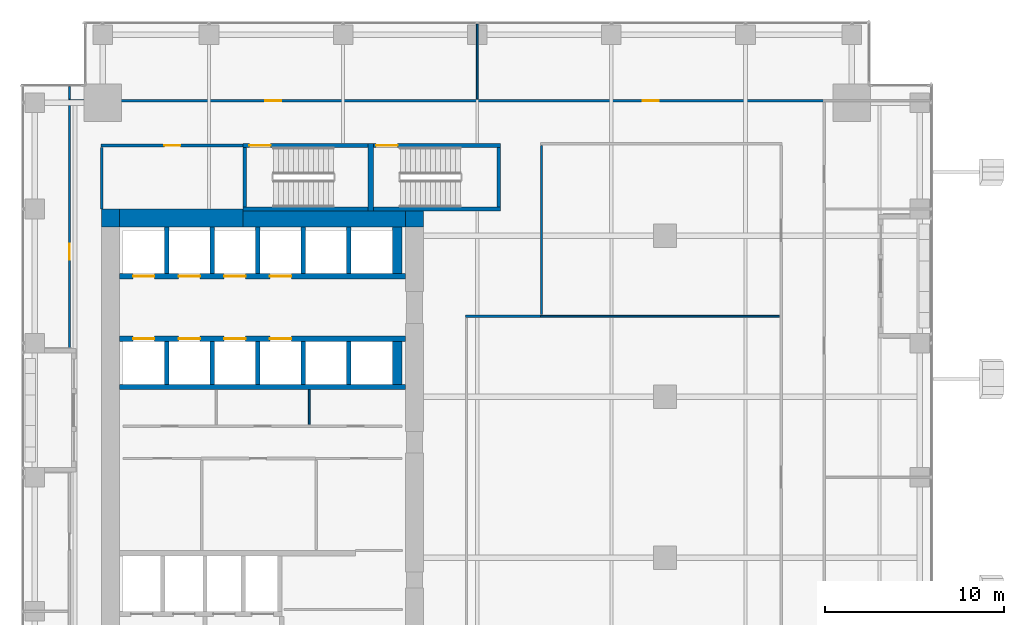
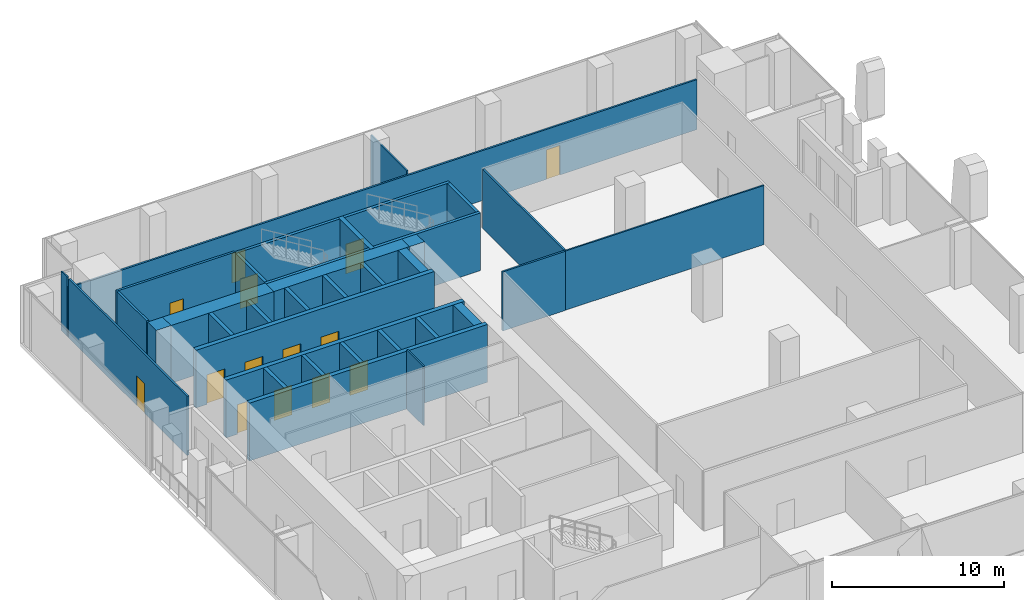
# One storey, part 30 of 35: 36 walls, 14 doors, 14 openings.
"""IFC4 building model written with IfcOpenShell, lengths in metres."""

from ifc_helpers import new_model, si_unit, direction, frame, frame_2d, origin, place, context, subcontext, project, spatial, rectangle, extrude, source, transform, mapped, material, layer, layer_set, type_object, element, fill, save


model = new_model("IFC4")

# Units and contexts
model_context = context("Model", 3, precision=1e-05, world=origin(), true_north=direction((0.0, 1.0)))
body_context = subcontext(model_context, "Body", "Model", "MODEL_VIEW")
ifc_project = project(units=[si_unit("LENGTHUNIT", "METRE"), si_unit("AREAUNIT", "SQUARE_METRE"), si_unit("VOLUMEUNIT", "CUBIC_METRE"), si_unit("PLANEANGLEUNIT", "RADIAN"), si_unit("MASSUNIT", "GRAM", prefix="KILO")], contexts=[model_context])

# Site, building, storey
site_placement = place(None, origin())
site = spatial("IfcSite", under=ifc_project, at=site_placement, CompositionType="ELEMENT")
building_placement = place(site_placement, origin())
building = spatial("IfcBuilding", under=site, at=building_placement, Name="Khomas Fold Tower", CompositionType="ELEMENT")
storey_placement = place(building_placement, frame((0.0, 0.0, 136.699951171875)))
storey = spatial("IfcBuildingStorey", under=building, at=storey_placement, Name="L29", CompositionType="ELEMENT", Elevation=136.699951171875)

# Walls
ifc_material_1 = material(Name="Concrete C70/85", Category="concrete")
ifc_layer_1 = layer(ifc_material_1, 1.0)
ifc_layer_set_1 = layer_set([ifc_layer_1], Name="Concrete C70/85")
wall_type_1 = type_object("IfcWallType", Name="Core wall 1000", PredefinedType="SHEAR", material=ifc_layer_set_1)
shared_shape_1 = source(origin(), body_context, "Body", "SweptSolid", [
    extrude(rectangle(XDim=6.89990234375, YDim=1.0, at=frame_2d((3.449951171875, 0.0))), origin(), (0.0, 0.0, 1.0), 4.10009765625),
])
wall_1_placement = place(storey_placement, frame((7.0, 41.5, 0.0), z_axis=(0.0, 0.0, 1.0), x_axis=(1.0, 0.0, 0.0)))
element("IfcWall", 1, at=wall_1_placement, inside=storey, type_object=wall_type_1, Name="Core wall CW-L-N-L21", PredefinedType="SHEAR", context=body_context, shape_type="MappedRepresentation", body=[
    mapped(shared_shape_1, transform((0.0, 0.0, 0.0))),
])
ifc_material_2 = material(Name="Concrete C70/85", Category="concrete")
ifc_layer_2 = layer(ifc_material_2, 0.89990234375)
ifc_layer_set_2 = layer_set([ifc_layer_2], Name="Concrete C70/85")
wall_type_2 = type_object("IfcWallType", Name="Core wall 900", PredefinedType="SHEAR", material=ifc_layer_set_2)
shared_shape_2 = source(origin(), body_context, "Body", "SweptSolid", [
    extrude(rectangle(XDim=9.10009765625, YDim=0.89990234375, at=frame_2d((4.550048828125, 0.0))), origin(), (0.0, 0.0, 1.0), 4.10009765625),
])
wall_2_placement = place(storey_placement, frame((13.89990234375, 41.449951171875, 0.0), z_axis=(0.0, 0.0, 1.0), x_axis=(1.0, 0.0, 0.0)))
element("IfcWall", 2, at=wall_2_placement, inside=storey, type_object=wall_type_2, Name="Core wall CW-L-N-L21-1", PredefinedType="SHEAR", context=body_context, shape_type="MappedRepresentation", body=[
    mapped(shared_shape_2, transform((0.0, 0.0, 0.0))),
])
ifc_material_3 = material(Name="Concrete C70/85", Category="concrete")
ifc_layer_3 = layer(ifc_material_3, 0.89990234375)
ifc_layer_set_3 = layer_set([ifc_layer_3], Name="Concrete C70/85")
wall_type_3 = type_object("IfcWallType", Name="Core corner wall 900", PredefinedType="SHEAR", material=ifc_layer_set_3)
shared_shape_3 = source(origin(), body_context, "Body", "SweptSolid", [
    extrude(rectangle(XDim=1.0, YDim=0.89990234375, at=frame_2d((0.5, 0.0))), origin(), (0.0, 0.0, 1.0), 4.10009765625),
])
wall_3_placement = place(storey_placement, frame((23.0, 41.449951171875, 0.0), z_axis=(0.0, 0.0, 1.0), x_axis=(1.0, 0.0, 0.0)))
element("IfcWall", 3, at=wall_3_placement, inside=storey, type_object=wall_type_3, Name="Core wall CW-L-NE-L21", PredefinedType="SHEAR", context=body_context, shape_type="MappedRepresentation", body=[
    mapped(shared_shape_3, transform((0.0, 0.0, 0.0))),
])
ifc_material_4 = material(Name="Concrete C70/85", Category="concrete")
ifc_layer_4 = layer(ifc_material_4, 1.0)
ifc_layer_set_4 = layer_set([ifc_layer_4], Name="Concrete C70/85")
wall_type_4 = type_object("IfcWallType", Name="Core corner wall 1000", PredefinedType="SHEAR", material=ifc_layer_set_4)
shared_shape_4 = source(origin(), body_context, "Body", "SweptSolid", [
    extrude(rectangle(XDim=1.0, YDim=1.0, at=frame_2d((0.5, 0.0))), origin(), (0.0, 0.0, 1.0), 4.10009765625),
])
wall_4_placement = place(storey_placement, frame((6.0, 41.5, 0.0), z_axis=(0.0, 0.0, 1.0), x_axis=(1.0, 0.0, 0.0)))
element("IfcWall", 4, at=wall_4_placement, inside=storey, type_object=wall_type_4, Name="Core wall CW-L-NW-L21", PredefinedType="SHEAR", context=body_context, shape_type="MappedRepresentation", body=[
    mapped(shared_shape_4, transform((0.0, 0.0, 0.0))),
])

# Wall, opening, door
ifc_material_5 = material(Name="Concrete C50/60", Category="concrete")
ifc_layer_5 = layer(ifc_material_5, 0.199951171875)
ifc_layer_set_5 = layer_set([ifc_layer_5], Name="Concrete C50/60")
wall_type_5 = type_object("IfcWallType", Name="Stair wall 200", PredefinedType="SHEAR", material=ifc_layer_set_5)
shared_shape_5 = source(origin(), body_context, "Body", "SweptSolid", [
    extrude(rectangle(XDim=7.0, YDim=0.199951171875, at=frame_2d((3.5, 0.0))), origin(), (0.0, 0.0, 1.0), 4.10009765625),
])
wall_5_placement = place(storey_placement, frame((13.89990234375, 45.550048828125, 0.0), z_axis=(0.0, 0.0, 1.0), x_axis=(1.0, 0.0, 0.0)))
wall_5 = element("IfcWall", 5, at=wall_5_placement, inside=storey, type_object=wall_type_5, Name="Stair wall SW-ST1-N", PredefinedType="SHEAR", context=body_context, shape_type="MappedRepresentation", body=[
    mapped(shared_shape_5, transform((0.0, 0.0, 0.0))),
])
shared_shape_6 = source(origin(), body_context, "Body", "SweptSolid", [
    extrude(rectangle(XDim=1.199951171875, YDim=2.10009765625, at=frame_2d((0.60009765625, 1.050048828125))), frame((0.0, 0.10986328125, 0.0), z_axis=(0.0, -1.0, 0.0), x_axis=(1.0, 0.0, 0.0)), (0.0, 0.0, 1.0), 0.219970703125),
])
opening_1_placement = place(wall_5_placement, frame((0.35009765625, 0.0, 0.0)))
opening_1 = element("IfcOpeningElement", 6, at=opening_1_placement, cuts=wall_5, Name="Opening SD-ST1", PredefinedType="OPENING", context=body_context, shape_type="MappedRepresentation", body=[
    mapped(shared_shape_6, transform((0.0, 0.0, 0.0))),
])
ifc_material_6 = material(Name="Steel door leaf", Category="steel")
door_type_1 = type_object("IfcDoorType", Name="Stair door 1200x2100 left-hand", OperationType="SINGLE_SWING_LEFT", PredefinedType="DOOR", material=ifc_material_6)
shared_shape_7 = source(origin(), body_context, "Body", "SweptSolid", [
    extrude(rectangle(XDim=1.199951171875, YDim=2.10009765625, at=frame_2d((0.60009765625, 1.050048828125))), frame((0.0, 0.02490234375, 0.0), z_axis=(0.0, -1.0, 0.0), x_axis=(1.0, 0.0, 0.0)), (0.0, 0.0, 1.0), 0.050048828125),
])
door_1_placement = place(opening_1_placement, origin())
door_1 = element("IfcDoor", 7, at=door_1_placement, inside=storey, type_object=door_type_1, Name="Stair door", OperationType="SINGLE_SWING_LEFT", OverallHeight=2.10009765625, OverallWidth=1.199951171875, PredefinedType="DOOR", context=body_context, shape_type="MappedRepresentation", body=[
    mapped(shared_shape_7, transform((0.0, 0.0, 0.0))),
])
fill(opening_1, door_1)

# Wall
wall_6_placement = place(storey_placement, frame((13.89990234375, 42.0, 0.0), z_axis=(0.0, 0.0, 1.0), x_axis=(1.0, 0.0, 0.0)))
element("IfcWall", 8, at=wall_6_placement, inside=storey, type_object=wall_type_5, Name="Stair wall SW-ST1-S", PredefinedType="SHEAR", context=body_context, shape_type="MappedRepresentation", body=[
    mapped(shared_shape_5, transform((0.0, 0.0, 0.0))),
])

# Wall, opening, door
shared_shape_8 = source(origin(), body_context, "Body", "SweptSolid", [
    extrude(rectangle(XDim=7.10009765625, YDim=0.199951171875, at=frame_2d((3.550048828125, 0.0))), origin(), (0.0, 0.0, 1.0), 4.10009765625),
])
wall_7_placement = place(storey_placement, frame((21.199951171875, 45.550048828125, 0.0), z_axis=(0.0, 0.0, 1.0), x_axis=(1.0, 0.0, 0.0)))
wall_7 = element("IfcWall", 9, at=wall_7_placement, inside=storey, type_object=wall_type_5, Name="Stair wall SW-ST3-N", PredefinedType="SHEAR", context=body_context, shape_type="MappedRepresentation", body=[
    mapped(shared_shape_8, transform((0.0, 0.0, 0.0))),
])
opening_2_placement = place(wall_7_placement, frame((0.14990234375, 0.0, 0.0)))
opening_2 = element("IfcOpeningElement", 10, at=opening_2_placement, cuts=wall_7, Name="Opening SD-ST3", PredefinedType="OPENING", context=body_context, shape_type="MappedRepresentation", body=[
    mapped(shared_shape_6, transform((0.0, 0.0, 0.0))),
])
door_2_placement = place(opening_2_placement, origin())
door_2 = element("IfcDoor", 11, at=door_2_placement, inside=storey, type_object=door_type_1, Name="Stair door", OperationType="SINGLE_SWING_LEFT", OverallHeight=2.10009765625, OverallWidth=1.199951171875, PredefinedType="DOOR", context=body_context, shape_type="MappedRepresentation", body=[
    mapped(shared_shape_7, transform((0.0, 0.0, 0.0))),
])
fill(opening_2, door_2)

# Walls
wall_8_placement = place(storey_placement, frame((21.199951171875, 42.0, 0.0), z_axis=(0.0, 0.0, 1.0), x_axis=(1.0, 0.0, 0.0)))
element("IfcWall", 12, at=wall_8_placement, inside=storey, type_object=wall_type_5, Name="Stair wall SW-ST3-S", PredefinedType="SHEAR", context=body_context, shape_type="MappedRepresentation", body=[
    mapped(shared_shape_8, transform((0.0, 0.0, 0.0))),
])
ifc_material_7 = material(Name="Concrete C50/60", Category="concrete")
ifc_layer_6 = layer(ifc_material_7, 0.300048828125)
ifc_layer_set_6 = layer_set([ifc_layer_6], Name="Concrete C50/60")
wall_type_6 = type_object("IfcWallType", Name="Stair wall 300", PredefinedType="SHEAR", material=ifc_layer_set_6)
shared_shape_9 = source(origin(), body_context, "Body", "SweptSolid", [
    extrude(rectangle(XDim=3.75, YDim=0.300048828125, at=frame_2d((1.875, 0.0))), origin(), (0.0, 0.0, 1.0), 4.10009765625),
])
wall_9_placement = place(storey_placement, frame((21.050048828125, 41.89990234375, 0.0), z_axis=(0.0, 0.0, 1.0), x_axis=(0.0, 1.0, 0.0)))
element("IfcWall", 13, at=wall_9_placement, inside=storey, type_object=wall_type_6, Name="Stair wall SW-ST1-E", PredefinedType="SHEAR", context=body_context, shape_type="MappedRepresentation", body=[
    mapped(shared_shape_9, transform((0.0, 0.0, 0.0))),
])
shared_shape_10 = source(origin(), body_context, "Body", "SweptSolid", [
    extrude(rectangle(XDim=3.349853515625, YDim=0.199951171875, at=frame_2d((1.6748046875, 0.0))), origin(), (0.0, 0.0, 1.0), 4.10009765625),
])
for number, where, z_axis, x_axis, name in (
    (14, (14.0, 42.10009765625, 0.0), (0.0, 0.0, 1.0), (0.0, 1.0, 0.0), "Stair wall SW-ST1-W"),
    (15, (28.199951171875, 42.10009765625, 0.0), (0.0, 0.0, 1.0), (0.0, 1.0, 0.0), "Stair wall SW-ST3-E"),
):
    element("IfcWall", number, at=place(storey_placement, frame(where, z_axis=z_axis, x_axis=x_axis)), inside=storey, type_object=wall_type_5, Name=name, PredefinedType="SHEAR", context=body_context, shape_type="MappedRepresentation", body=[
        mapped(shared_shape_10, transform((0.0, 0.0, 0.0))),
    ])
ifc_material_8 = material(Name="Concrete C50/60", Category="concrete")
ifc_layer_7 = layer(ifc_material_8, 0.300048828125)
ifc_layer_set_7 = layer_set([ifc_layer_7], Name="Concrete C50/60")
wall_type_7 = type_object("IfcWallType", Name="Shaft wall 300", PredefinedType="STANDARD", material=ifc_layer_set_7)
shared_shape_11 = source(origin(), body_context, "Body", "SweptSolid", [
    extrude(rectangle(XDim=16.0, YDim=0.300048828125, at=frame_2d((8.0, 0.0))), origin(), (0.0, 0.0, 1.0), 4.10009765625),
])
wall_10_placement = place(storey_placement, frame((7.0, 32.050048828125, 0.0), z_axis=(0.0, 0.0, 1.0), x_axis=(1.0, 0.0, 0.0)))
element("IfcWall", 16, at=wall_10_placement, inside=storey, type_object=wall_type_7, Name="Core wall SW-HRN-B", PredefinedType="STANDARD", context=body_context, shape_type="MappedRepresentation", body=[
    mapped(shared_shape_11, transform((0.0, 0.0, 0.0))),
])

# Wall, openings, doors
wall_11_placement = place(storey_placement, frame((7.0, 38.25, 0.0), z_axis=(0.0, 0.0, 1.0), x_axis=(1.0, 0.0, 0.0)))
wall_11 = element("IfcWall", 17, at=wall_11_placement, inside=storey, type_object=wall_type_7, Name="Core wall SW-LRN-F", PredefinedType="STANDARD", context=body_context, shape_type="MappedRepresentation", body=[
    mapped(shared_shape_11, transform((0.0, 0.0, 0.0))),
])
shared_shape_12 = source(origin(), body_context, "Body", "SweptSolid", [
    extrude(rectangle(XDim=1.199951171875, YDim=2.10009765625, at=frame_2d((0.60009765625, 1.050048828125))), frame((0.0, 0.159912109375, 0.0), z_axis=(0.0, -1.0, 0.0), x_axis=(1.0, 0.0, 0.0)), (0.0, 0.0, 1.0), 0.320068359375),
])
opening_3_placement = place(wall_11_placement, frame((0.75, 0.0, 0.0)))
opening_3 = element("IfcOpeningElement", 18, at=opening_3_placement, cuts=wall_11, Name="Opening LD-LR5", PredefinedType="OPENING", context=body_context, shape_type="MappedRepresentation", body=[
    mapped(shared_shape_12, transform((0.0, 0.0, 0.0))),
])
opening_4_placement = place(wall_11_placement, frame((3.300048828125, 0.0, 0.0)))
opening_4 = element("IfcOpeningElement", 19, at=opening_4_placement, cuts=wall_11, Name="Opening LD-LR6", PredefinedType="OPENING", context=body_context, shape_type="MappedRepresentation", body=[
    mapped(shared_shape_12, transform((0.0, 0.0, 0.0))),
])
opening_5_placement = place(wall_11_placement, frame((5.85009765625, 0.0, 0.0)))
opening_5 = element("IfcOpeningElement", 20, at=opening_5_placement, cuts=wall_11, Name="Opening LD-LR7", PredefinedType="OPENING", context=body_context, shape_type="MappedRepresentation", body=[
    mapped(shared_shape_12, transform((0.0, 0.0, 0.0))),
])
opening_6_placement = place(wall_11_placement, frame((8.39990234375, 0.0, 0.0)))
opening_6 = element("IfcOpeningElement", 21, at=opening_6_placement, cuts=wall_11, Name="Opening LD-LR8", PredefinedType="OPENING", context=body_context, shape_type="MappedRepresentation", body=[
    mapped(shared_shape_12, transform((0.0, 0.0, 0.0))),
])
ifc_material_9 = material(Name="Steel door leaf", Category="steel")
door_type_2 = type_object("IfcDoorType", Name="Landing door 1200x2100", OperationType="DOUBLE_DOOR_SLIDING", PredefinedType="DOOR", material=ifc_material_9)
door_3_placement = place(opening_3_placement, origin())
door_3 = element("IfcDoor", 22, at=door_3_placement, inside=storey, type_object=door_type_2, Name="Lift landing door", OperationType="DOUBLE_DOOR_SLIDING", OverallHeight=2.10009765625, OverallWidth=1.199951171875, PredefinedType="DOOR", context=body_context, shape_type="MappedRepresentation", body=[
    mapped(shared_shape_7, transform((0.0, 0.0, 0.0))),
])
fill(opening_3, door_3)
door_4_placement = place(opening_4_placement, origin())
door_4 = element("IfcDoor", 23, at=door_4_placement, inside=storey, type_object=door_type_2, Name="Lift landing door", OperationType="DOUBLE_DOOR_SLIDING", OverallHeight=2.10009765625, OverallWidth=1.199951171875, PredefinedType="DOOR", context=body_context, shape_type="MappedRepresentation", body=[
    mapped(shared_shape_7, transform((0.0, 0.0, 0.0))),
])
fill(opening_4, door_4)
door_5_placement = place(opening_5_placement, origin())
door_5 = element("IfcDoor", 24, at=door_5_placement, inside=storey, type_object=door_type_2, Name="Lift landing door", OperationType="DOUBLE_DOOR_SLIDING", OverallHeight=2.10009765625, OverallWidth=1.199951171875, PredefinedType="DOOR", context=body_context, shape_type="MappedRepresentation", body=[
    mapped(shared_shape_7, transform((0.0, 0.0, 0.0))),
])
fill(opening_5, door_5)
door_6_placement = place(opening_6_placement, origin())
door_6 = element("IfcDoor", 25, at=door_6_placement, inside=storey, type_object=door_type_2, Name="Lift landing door", OperationType="DOUBLE_DOOR_SLIDING", OverallHeight=2.10009765625, OverallWidth=1.199951171875, PredefinedType="DOOR", context=body_context, shape_type="MappedRepresentation", body=[
    mapped(shared_shape_7, transform((0.0, 0.0, 0.0))),
])
fill(opening_6, door_6)

wall_12_placement = place(storey_placement, frame((7.0, 34.75, 0.0), z_axis=(0.0, 0.0, 1.0), x_axis=(1.0, 0.0, 0.0)))
wall_12 = element("IfcWall", 26, at=wall_12_placement, inside=storey, type_object=wall_type_7, Name="Core wall SW-LRS-F", PredefinedType="STANDARD", context=body_context, shape_type="MappedRepresentation", body=[
    mapped(shared_shape_11, transform((0.0, 0.0, 0.0))),
])
opening_7_placement = place(wall_12_placement, frame((0.75, 0.0, 0.0)))
opening_7 = element("IfcOpeningElement", 27, at=opening_7_placement, cuts=wall_12, Name="Opening LD-LR1", PredefinedType="OPENING", context=body_context, shape_type="MappedRepresentation", body=[
    mapped(shared_shape_12, transform((0.0, 0.0, 0.0))),
])
opening_8_placement = place(wall_12_placement, frame((3.300048828125, 0.0, 0.0)))
opening_8 = element("IfcOpeningElement", 28, at=opening_8_placement, cuts=wall_12, Name="Opening LD-LR2", PredefinedType="OPENING", context=body_context, shape_type="MappedRepresentation", body=[
    mapped(shared_shape_12, transform((0.0, 0.0, 0.0))),
])
opening_9_placement = place(wall_12_placement, frame((5.85009765625, 0.0, 0.0)))
opening_9 = element("IfcOpeningElement", 29, at=opening_9_placement, cuts=wall_12, Name="Opening LD-LR3", PredefinedType="OPENING", context=body_context, shape_type="MappedRepresentation", body=[
    mapped(shared_shape_12, transform((0.0, 0.0, 0.0))),
])
opening_10_placement = place(wall_12_placement, frame((8.39990234375, 0.0, 0.0)))
opening_10 = element("IfcOpeningElement", 30, at=opening_10_placement, cuts=wall_12, Name="Opening LD-LR4", PredefinedType="OPENING", context=body_context, shape_type="MappedRepresentation", body=[
    mapped(shared_shape_12, transform((0.0, 0.0, 0.0))),
])
door_7_placement = place(opening_7_placement, origin())
door_7 = element("IfcDoor", 31, at=door_7_placement, inside=storey, type_object=door_type_2, Name="Lift landing door", OperationType="DOUBLE_DOOR_SLIDING", OverallHeight=2.10009765625, OverallWidth=1.199951171875, PredefinedType="DOOR", context=body_context, shape_type="MappedRepresentation", body=[
    mapped(shared_shape_7, transform((0.0, 0.0, 0.0))),
])
fill(opening_7, door_7)
door_8_placement = place(opening_8_placement, origin())
door_8 = element("IfcDoor", 32, at=door_8_placement, inside=storey, type_object=door_type_2, Name="Lift landing door", OperationType="DOUBLE_DOOR_SLIDING", OverallHeight=2.10009765625, OverallWidth=1.199951171875, PredefinedType="DOOR", context=body_context, shape_type="MappedRepresentation", body=[
    mapped(shared_shape_7, transform((0.0, 0.0, 0.0))),
])
fill(opening_8, door_8)
door_9_placement = place(opening_9_placement, origin())
door_9 = element("IfcDoor", 33, at=door_9_placement, inside=storey, type_object=door_type_2, Name="Lift landing door", OperationType="DOUBLE_DOOR_SLIDING", OverallHeight=2.10009765625, OverallWidth=1.199951171875, PredefinedType="DOOR", context=body_context, shape_type="MappedRepresentation", body=[
    mapped(shared_shape_7, transform((0.0, 0.0, 0.0))),
])
fill(opening_9, door_9)
door_10_placement = place(opening_10_placement, origin())
door_10 = element("IfcDoor", 34, at=door_10_placement, inside=storey, type_object=door_type_2, Name="Lift landing door", OperationType="DOUBLE_DOOR_SLIDING", OverallHeight=2.10009765625, OverallWidth=1.199951171875, PredefinedType="DOOR", context=body_context, shape_type="MappedRepresentation", body=[
    mapped(shared_shape_7, transform((0.0, 0.0, 0.0))),
])
fill(opening_10, door_10)

# Walls
ifc_material_10 = material(Name="Concrete C50/60", Category="concrete")
ifc_layer_8 = layer(ifc_material_10, 0.25)
ifc_layer_set_8 = layer_set([ifc_layer_8], Name="Concrete C50/60")
wall_type_8 = type_object("IfcWallType", Name="Shaft wall 250", PredefinedType="STANDARD", material=ifc_layer_set_8)
shared_shape_13 = source(origin(), body_context, "Body", "SweptSolid", [
    extrude(rectangle(XDim=2.60009765625, YDim=0.25, at=frame_2d((1.300048828125, 0.0))), origin(), (0.0, 0.0, 1.0), 4.10009765625),
])
for number, where, z_axis, x_axis, name in (
    (35, (9.625, 38.39990234375, 0.0), (0.0, 0.0, 1.0), (0.0, 1.0, 0.0), "Core wall SW-LRN-P1"),
    (36, (12.175048828125, 38.39990234375, 0.0), (0.0, 0.0, 1.0), (0.0, 1.0, 0.0), "Core wall SW-LRN-P2"),
    (37, (14.72509765625, 38.39990234375, 0.0), (0.0, 0.0, 1.0), (0.0, 1.0, 0.0), "Core wall SW-LRN-P3"),
    (38, (17.27490234375, 38.39990234375, 0.0), (0.0, 0.0, 1.0), (0.0, 1.0, 0.0), "Core wall SW-LRN-P4"),
    (39, (19.824951171875, 38.39990234375, 0.0), (0.0, 0.0, 1.0), (0.0, 1.0, 0.0), "Core wall SW-LRN-P5"),
):
    element("IfcWall", number, at=place(storey_placement, frame(where, z_axis=z_axis, x_axis=x_axis)), inside=storey, type_object=wall_type_8, Name=name, PredefinedType="STANDARD", context=body_context, shape_type="MappedRepresentation", body=[
        mapped(shared_shape_13, transform((0.0, 0.0, 0.0))),
    ])
ifc_material_11 = material(Name="Concrete C50/60", Category="concrete")
ifc_layer_9 = layer(ifc_material_11, 0.550048828125)
ifc_layer_set_9 = layer_set([ifc_layer_9], Name="Concrete C50/60")
wall_type_9 = type_object("IfcWallType", Name="Shaft wall 550", PredefinedType="STANDARD", material=ifc_layer_set_9)
shared_shape_14 = source(origin(), body_context, "Body", "SweptSolid", [
    extrude(rectangle(XDim=2.60009765625, YDim=0.550048828125, at=frame_2d((1.300048828125, 0.0))), origin(), (0.0, 0.0, 1.0), 4.10009765625),
])
wall_13_placement = place(storey_placement, frame((22.52490234375, 38.39990234375, 0.0), z_axis=(0.0, 0.0, 1.0), x_axis=(0.0, 1.0, 0.0)))
element("IfcWall", 40, at=wall_13_placement, inside=storey, type_object=wall_type_9, Name="Core wall SW-LRN-PE", PredefinedType="STANDARD", context=body_context, shape_type="MappedRepresentation", body=[
    mapped(shared_shape_14, transform((0.0, 0.0, 0.0))),
])
shared_shape_15 = source(origin(), body_context, "Body", "SweptSolid", [
    extrude(rectangle(XDim=2.400146484375, YDim=0.25, at=frame_2d((1.2001953125, 0.0))), origin(), (0.0, 0.0, 1.0), 4.10009765625),
])
for number, where, z_axis, x_axis, name in (
    (41, (9.625, 32.199951171875, 0.0), (0.0, 0.0, 1.0), (0.0, 1.0, 0.0), "Core wall SW-LRS-P1"),
    (42, (12.175048828125, 32.199951171875, 0.0), (0.0, 0.0, 1.0), (0.0, 1.0, 0.0), "Core wall SW-LRS-P2"),
    (43, (14.72509765625, 32.199951171875, 0.0), (0.0, 0.0, 1.0), (0.0, 1.0, 0.0), "Core wall SW-LRS-P3"),
    (44, (17.27490234375, 32.199951171875, 0.0), (0.0, 0.0, 1.0), (0.0, 1.0, 0.0), "Core wall SW-LRS-P4"),
    (45, (19.824951171875, 32.199951171875, 0.0), (0.0, 0.0, 1.0), (0.0, 1.0, 0.0), "Core wall SW-LRS-P5"),
):
    element("IfcWall", number, at=place(storey_placement, frame(where, z_axis=z_axis, x_axis=x_axis)), inside=storey, type_object=wall_type_8, Name=name, PredefinedType="STANDARD", context=body_context, shape_type="MappedRepresentation", body=[
        mapped(shared_shape_15, transform((0.0, 0.0, 0.0))),
    ])
shared_shape_16 = source(origin(), body_context, "Body", "SweptSolid", [
    extrude(rectangle(XDim=2.400146484375, YDim=0.550048828125, at=frame_2d((1.2001953125, 0.0))), origin(), (0.0, 0.0, 1.0), 4.10009765625),
])
wall_14_placement = place(storey_placement, frame((22.52490234375, 32.199951171875, 0.0), z_axis=(0.0, 0.0, 1.0), x_axis=(0.0, 1.0, 0.0)))
element("IfcWall", 46, at=wall_14_placement, inside=storey, type_object=wall_type_9, Name="Core wall SW-LRS-PE", PredefinedType="STANDARD", context=body_context, shape_type="MappedRepresentation", body=[
    mapped(shared_shape_16, transform((0.0, 0.0, 0.0))),
])
ifc_material_12 = material(Name="Plasterboard partition")
ifc_layer_10 = layer(ifc_material_12, 0.125)
ifc_layer_set_10 = layer_set([ifc_layer_10], Name="Plasterboard partition")
wall_type_10 = type_object("IfcWallType", Name="Partition PW2 125", PredefinedType="PARTITIONING", material=ifc_layer_set_10)
shared_shape_17 = source(origin(), body_context, "Body", "SweptSolid", [
    extrude(rectangle(XDim=4.199951171875, YDim=0.125, at=frame_2d((2.10009765625, 0.0))), origin(), (0.0, 0.0, 1.0), 4.199951171875),
])
wall_15_placement = place(storey_placement, frame((26.35009765625, 36.0, 0.0), z_axis=(0.0, 0.0, 1.0), x_axis=(1.0, 0.0, 0.0)))
element("IfcWall", 47, at=wall_15_placement, inside=storey, type_object=wall_type_10, Name="Partition", PredefinedType="PARTITIONING", context=body_context, shape_type="MappedRepresentation", body=[
    mapped(shared_shape_17, transform((0.0, 0.0, 0.0))),
])
ifc_material_13 = material(Name="Plasterboard partition")
ifc_layer_11 = layer(ifc_material_13, 0.10009765625)
ifc_layer_set_11 = layer_set([ifc_layer_11], Name="Plasterboard partition")
wall_type_11 = type_object("IfcWallType", Name="Partition PW1 100", PredefinedType="PARTITIONING", material=ifc_layer_set_11)
shared_shape_18 = source(origin(), body_context, "Body", "SweptSolid", [
    extrude(rectangle(XDim=13.349853515625, YDim=0.10009765625, at=frame_2d((6.6748046875, 0.0))), origin(), (0.0, 0.0, 1.0), 4.199951171875),
])
wall_16_placement = place(storey_placement, frame((30.550048828125, 36.0, 0.0), z_axis=(0.0, 0.0, 1.0), x_axis=(1.0, 0.0, 0.0)))
element("IfcWall", 48, at=wall_16_placement, inside=storey, type_object=wall_type_11, Name="Partition", PredefinedType="PARTITIONING", context=body_context, shape_type="MappedRepresentation", body=[
    mapped(shared_shape_18, transform((0.0, 0.0, 0.0))),
])
shared_shape_19 = source(origin(), body_context, "Body", "SweptSolid", [
    extrude(rectangle(XDim=9.449951171875, YDim=0.125, at=frame_2d((4.72509765625, 0.0))), origin(), (0.0, 0.0, 1.0), 4.199951171875),
])
wall_17_placement = place(storey_placement, frame((30.60009765625, 36.10009765625, 0.0), z_axis=(0.0, 0.0, 1.0), x_axis=(0.0, 1.0, 0.0)))
element("IfcWall", 49, at=wall_17_placement, inside=storey, type_object=wall_type_10, Name="Partition", PredefinedType="PARTITIONING", context=body_context, shape_type="MappedRepresentation", body=[
    mapped(shared_shape_19, transform((0.0, 0.0, 0.0))),
])

# Wall, openings, doors
shared_shape_20 = source(origin(), body_context, "Body", "SweptSolid", [
    extrude(rectangle(XDim=42.2001953125, YDim=0.125, at=frame_2d((21.10009765625, 0.0))), origin(), (0.0, 0.0, 1.0), 3.550048828125),
])
wall_18_placement = place(storey_placement, frame((4.14990234375, 48.050048828125, 0.0), z_axis=(0.0, 0.0, 1.0), x_axis=(1.0, 0.0, 0.0)))
wall_18 = element("IfcWall", 50, at=wall_18_placement, inside=storey, type_object=wall_type_10, Name="Partition", PredefinedType="PARTITIONING", context=body_context, shape_type="MappedRepresentation", body=[
    mapped(shared_shape_20, transform((0.0, 0.0, 0.0))),
])
shared_shape_21 = source(origin(), body_context, "Body", "SweptSolid", [
    extrude(rectangle(XDim=0.89990234375, YDim=2.10009765625, at=frame_2d((0.449951171875, 1.050048828125))), frame((0.0, 0.072509765625, 0.0), z_axis=(0.0, -1.0, 0.0), x_axis=(1.0, 0.0, 0.0)), (0.0, 0.0, 1.0), 0.14501953125),
])
opening_11_placement = place(wall_18_placement, frame((11.0, 0.0, 0.0)))
opening_11 = element("IfcOpeningElement", 51, at=opening_11_placement, cuts=wall_18, Name="Opening 0007", PredefinedType="OPENING", context=body_context, shape_type="MappedRepresentation", body=[
    mapped(shared_shape_21, transform((0.0, 0.0, 0.0))),
])
opening_12_placement = place(wall_18_placement, frame((32.10009765625, 0.0, 0.0)))
opening_12 = element("IfcOpeningElement", 52, at=opening_12_placement, cuts=wall_18, Name="Opening 0007", PredefinedType="OPENING", context=body_context, shape_type="MappedRepresentation", body=[
    mapped(shared_shape_21, transform((0.0, 0.0, 0.0))),
])
ifc_material_14 = material(Name="Timber door leaf", Category="wood")
door_type_3 = type_object("IfcDoorType", Name="Door 900x2100 left-hand", OperationType="SINGLE_SWING_LEFT", PredefinedType="DOOR", material=ifc_material_14)
shared_shape_22 = source(origin(), body_context, "Body", "SweptSolid", [
    extrude(rectangle(XDim=0.89990234375, YDim=2.10009765625, at=frame_2d((0.449951171875, 1.050048828125))), frame((0.0, 0.02490234375, 0.0), z_axis=(0.0, -1.0, 0.0), x_axis=(1.0, 0.0, 0.0)), (0.0, 0.0, 1.0), 0.050048828125),
])
door_11_placement = place(opening_11_placement, origin())
door_11 = element("IfcDoor", 53, at=door_11_placement, inside=storey, type_object=door_type_3, Name="Door", OperationType="SINGLE_SWING_LEFT", OverallHeight=2.10009765625, OverallWidth=0.89990234375, PredefinedType="DOOR", context=body_context, shape_type="MappedRepresentation", body=[
    mapped(shared_shape_22, transform((0.0, 0.0, 0.0))),
])
fill(opening_11, door_11)
door_12_placement = place(opening_12_placement, origin())
door_12 = element("IfcDoor", 54, at=door_12_placement, inside=storey, type_object=door_type_3, Name="Door", OperationType="SINGLE_SWING_LEFT", OverallHeight=2.10009765625, OverallWidth=0.89990234375, PredefinedType="DOOR", context=body_context, shape_type="MappedRepresentation", body=[
    mapped(shared_shape_22, transform((0.0, 0.0, 0.0))),
])
fill(opening_12, door_12)

# Walls
shared_shape_23 = source(origin(), body_context, "Body", "SweptSolid", [
    extrude(rectangle(XDim=0.7001953125, YDim=0.10009765625, at=frame_2d((0.35009765625, 0.0))), origin(), (0.0, 0.0, 1.0), 4.199951171875),
])
wall_19_placement = place(storey_placement, frame((4.199951171875, 48.14990234375, 0.0), z_axis=(0.0, 0.0, 1.0), x_axis=(0.0, 1.0, 0.0)))
element("IfcWall", 55, at=wall_19_placement, inside=storey, type_object=wall_type_11, Name="Partition", PredefinedType="PARTITIONING", context=body_context, shape_type="MappedRepresentation", body=[
    mapped(shared_shape_23, transform((0.0, 0.0, 0.0))),
])
shared_shape_24 = source(origin(), body_context, "Body", "SweptSolid", [
    extrude(rectangle(XDim=4.2001953125, YDim=0.10009765625, at=frame_2d((2.10009765625, 0.0))), origin(), (0.0, 0.0, 1.0), 3.77001953125),
])
wall_20_placement = place(storey_placement, frame((27.0, 48.14990234375, 0.0), z_axis=(0.0, 0.0, 1.0), x_axis=(0.0, 1.0, 0.0)))
element("IfcWall", 56, at=wall_20_placement, inside=storey, type_object=wall_type_11, Name="Partition", PredefinedType="PARTITIONING", context=body_context, shape_type="MappedRepresentation", body=[
    mapped(shared_shape_24, transform((0.0, 0.0, 0.0))),
])
ifc_material_15 = material(Name="Plasterboard fire partition")
ifc_layer_12 = layer(ifc_material_15, 0.14990234375)
ifc_layer_set_12 = layer_set([ifc_layer_12], Name="Plasterboard fire partition")
wall_type_12 = type_object("IfcWallType", Name="Plant room wall PW3 150", PredefinedType="PARTITIONING", material=ifc_layer_set_12)
shared_shape_25 = source(origin(), body_context, "Body", "SweptSolid", [
    extrude(rectangle(XDim=3.449951171875, YDim=0.14990234375, at=frame_2d((1.72509765625, 0.0))), origin(), (0.0, 0.0, 1.0), 4.199951171875),
])
wall_21_placement = place(storey_placement, frame((6.0, 42.0, 0.0), z_axis=(0.0, 0.0, 1.0), x_axis=(0.0, 1.0, 0.0)))
element("IfcWall", 57, at=wall_21_placement, inside=storey, type_object=wall_type_12, Name="Plant room wall", PredefinedType="PARTITIONING", context=body_context, shape_type="MappedRepresentation", body=[
    mapped(shared_shape_25, transform((0.0, 0.0, 0.0))),
])
shared_shape_26 = source(origin(), body_context, "Body", "SweptSolid", [
    extrude(rectangle(XDim=1.949951171875, YDim=0.10009765625, at=frame_2d((0.97509765625, 0.0))), origin(), (0.0, 0.0, 1.0), 4.199951171875),
])
wall_22_placement = place(storey_placement, frame((17.60009765625, 29.949951171875, 0.0), z_axis=(0.0, 0.0, 1.0), x_axis=(0.0, 1.0, 0.0)))
element("IfcWall", 58, at=wall_22_placement, inside=storey, type_object=wall_type_11, Name="Partition", PredefinedType="PARTITIONING", context=body_context, shape_type="MappedRepresentation", body=[
    mapped(shared_shape_26, transform((0.0, 0.0, 0.0))),
])

# Wall, opening, door
shared_shape_27 = source(origin(), body_context, "Body", "SweptSolid", [
    extrude(rectangle(XDim=13.75, YDim=0.125, at=frame_2d((6.875, 0.0))), origin(), (0.0, 0.0, 1.0), 4.199951171875),
])
wall_23_placement = place(storey_placement, frame((4.199951171875, 34.199951171875, 0.0), z_axis=(0.0, 0.0, 1.0), x_axis=(0.0, 1.0, 0.0)))
wall_23 = element("IfcWall", 59, at=wall_23_placement, inside=storey, type_object=wall_type_10, Name="Partition", PredefinedType="PARTITIONING", context=body_context, shape_type="MappedRepresentation", body=[
    mapped(shared_shape_27, transform((0.0, 0.0, 0.0))),
])
opening_13_placement = place(wall_23_placement, frame((4.949951171875, 0.0, 0.0)))
opening_13 = element("IfcOpeningElement", 60, at=opening_13_placement, cuts=wall_23, Name="Opening 0008", PredefinedType="OPENING", context=body_context, shape_type="MappedRepresentation", body=[
    mapped(shared_shape_21, transform((0.0, 0.0, 0.0))),
])
ifc_material_16 = material(Name="Timber door leaf", Category="wood")
door_type_4 = type_object("IfcDoorType", Name="Door 900x2100 right-hand", OperationType="SINGLE_SWING_RIGHT", PredefinedType="DOOR", material=ifc_material_16)
door_13_placement = place(opening_13_placement, origin())
door_13 = element("IfcDoor", 61, at=door_13_placement, inside=storey, type_object=door_type_4, Name="Door", OperationType="SINGLE_SWING_RIGHT", OverallHeight=2.10009765625, OverallWidth=0.89990234375, PredefinedType="DOOR", context=body_context, shape_type="MappedRepresentation", body=[
    mapped(shared_shape_22, transform((0.0, 0.0, 0.0))),
])
fill(opening_13, door_13)

shared_shape_28 = source(origin(), body_context, "Body", "SweptSolid", [
    extrude(rectangle(XDim=7.949951171875, YDim=0.14990234375, at=frame_2d((3.97509765625, 0.0))), origin(), (0.0, 0.0, 1.0), 4.199951171875),
])
wall_24_placement = place(storey_placement, frame((5.949951171875, 45.550048828125, 0.0), z_axis=(0.0, 0.0, 1.0), x_axis=(1.0, 0.0, 0.0)))
wall_24 = element("IfcWall", 62, at=wall_24_placement, inside=storey, type_object=wall_type_12, Name="Plant room wall", PredefinedType="PARTITIONING", context=body_context, shape_type="MappedRepresentation", body=[
    mapped(shared_shape_28, transform((0.0, 0.0, 0.0))),
])
shared_shape_29 = source(origin(), body_context, "Body", "SweptSolid", [
    extrude(rectangle(XDim=0.89990234375, YDim=2.10009765625, at=frame_2d((0.449951171875, 1.050048828125))), frame((0.0, 0.0849609375, 0.0), z_axis=(0.0, -1.0, 0.0), x_axis=(1.0, 0.0, 0.0)), (0.0, 0.0, 1.0), 0.169921875),
])
opening_14_placement = place(wall_24_placement, frame((3.550048828125, 0.0, 0.0)))
opening_14 = element("IfcOpeningElement", 63, at=opening_14_placement, cuts=wall_24, Name="Opening 0003", PredefinedType="OPENING", context=body_context, shape_type="MappedRepresentation", body=[
    mapped(shared_shape_29, transform((0.0, 0.0, 0.0))),
])
ifc_material_17 = material(Name="Steel door leaf", Category="steel")
door_type_5 = type_object("IfcDoorType", Name="Plant room door 900x2100 right-hand", OperationType="SINGLE_SWING_RIGHT", PredefinedType="DOOR", material=ifc_material_17)
door_14_placement = place(opening_14_placement, origin())
door_14 = element("IfcDoor", 64, at=door_14_placement, inside=storey, type_object=door_type_5, Name="Plant room door", OperationType="SINGLE_SWING_RIGHT", OverallHeight=2.10009765625, OverallWidth=0.89990234375, PredefinedType="DOOR", context=body_context, shape_type="MappedRepresentation", body=[
    mapped(shared_shape_22, transform((0.0, 0.0, 0.0))),
])
fill(opening_14, door_14)

save(model, "model.ifc")
